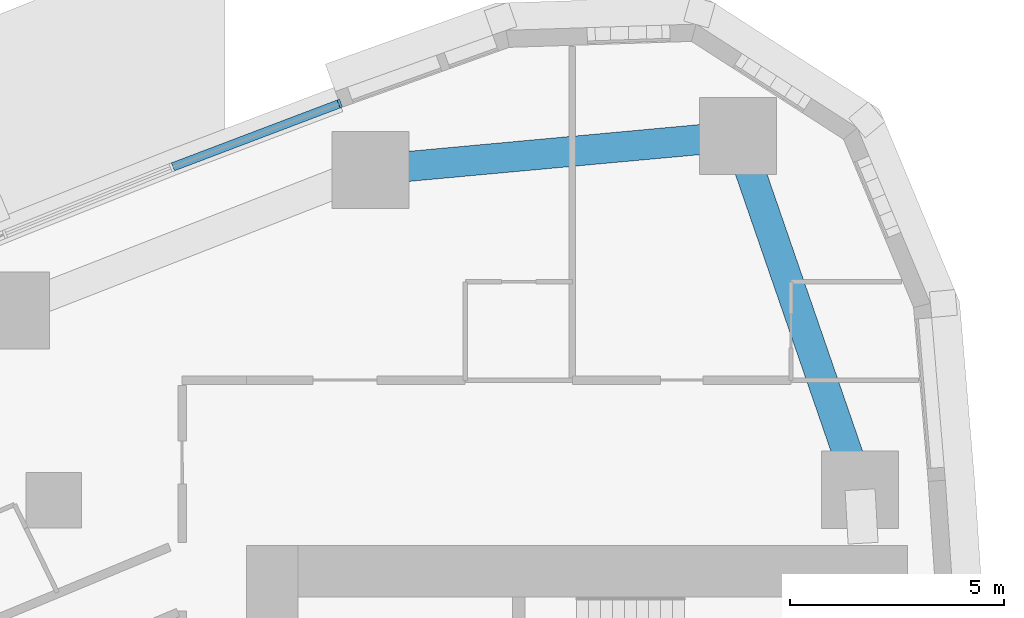
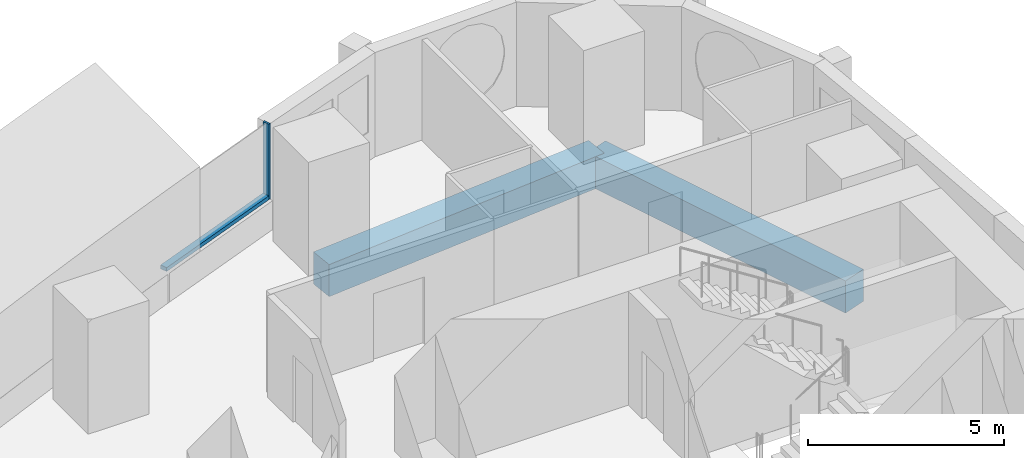
# One storey, part 7 of 19: 2 beams, 2 members, 1 element without a shape of its own.
"""IFC4 building model written with IfcOpenShell, lengths in metres."""

from ifc_helpers import new_model, si_unit, direction, frame, origin, origin_2d, place, context, subcontext, project, spatial, rectangle, extrude, material, layer, layer_set, material_profile, profile_set, type_object, element, aggregate, save


model = new_model("IFC4")

# Units and contexts
model_context = context("Model", 3, precision=1e-05, world=origin(), true_north=direction((0.0, 1.0)))
body_context = subcontext(model_context, "Body", "Model", "MODEL_VIEW")
ifc_project = project(units=[si_unit("LENGTHUNIT", "METRE"), si_unit("AREAUNIT", "SQUARE_METRE"), si_unit("VOLUMEUNIT", "CUBIC_METRE"), si_unit("PLANEANGLEUNIT", "RADIAN"), si_unit("MASSUNIT", "GRAM", prefix="KILO")], contexts=[model_context])

# Site, building, storey
site_placement = place(None, origin())
site = spatial("IfcSite", under=ifc_project, at=site_placement, CompositionType="ELEMENT")
building_placement = place(site_placement, origin())
building = spatial("IfcBuilding", under=site, at=building_placement, Name="Ostrand Prow Hotel Tower", CompositionType="ELEMENT")
storey_placement = place(building_placement, frame((0.0, 0.0, 71.550048828125)))
storey = spatial("IfcBuildingStorey", under=building, at=storey_placement, Name="L16", CompositionType="ELEMENT", Elevation=71.550048828125)

# Beams
ifc_material_1 = material(Name="Concrete C80/95", Category="concrete")
ifc_material_profile_1 = material_profile(ifc_material_1, rectangle(XDim=0.699951171875, YDim=1.0, at=origin_2d()), Name="RC 700x1000")
ifc_profile_set_1 = profile_set([ifc_material_profile_1], Name="Concrete C80/95")
beam_type = type_object("IfcBeamType", Name="Edge beam 700x1000 C80/95", PredefinedType="SPANDREL", material=ifc_profile_set_1)
beam_1_placement = place(storey_placement, frame((63.8134765625, 18.248779296875, -0.800048828125), z_axis=(-0.326263961413, 0.945278703602, 0.0), x_axis=(-0.945278703602, -0.326263961413, 0.0)))
element("IfcBeam", 1, at=beam_1_placement, inside=storey, type_object=beam_type, Name="Edge beam B5-NE", PredefinedType="SPANDREL", context=body_context, shape_type="SweptSolid", body=[
    extrude(rectangle(XDim=0.699951171875, YDim=1.0, at=origin_2d()), origin(), (0.0, 0.0, 1.0), 8.727294921875),
])
beam_2_placement = place(storey_placement, frame((60.966064453125, 26.49853515625, -0.800048828125), z_axis=(-0.995800189514, -0.091553167961, 0.0), x_axis=(0.091553167961, -0.995800189514, 0.0)))
element("IfcBeam", 2, at=beam_2_placement, inside=storey, type_object=beam_type, Name="Edge beam NE-N1", PredefinedType="SPANDREL", context=body_context, shape_type="SweptSolid", body=[
    extrude(rectangle(XDim=0.699951171875, YDim=1.0, at=origin_2d()), origin(), (0.0, 0.0, 1.0), 8.610595703125),
])

# Curtain wall, members
ifc_material_2 = material(Name="Insulated glass in bronze anodised frame", Category="glass")
ifc_layer = layer(ifc_material_2, 0.199951171875)
ifc_layer_set = layer_set([ifc_layer], Name="Insulated glass in bronze anodised frame")
curtain_wall_type = type_object("IfcCurtainWallType", Name="Strip curtain wall, fritted glass over bronze spandrel", PredefinedType="NOTDEFINED", material=ifc_layer_set)
curtain_wall_placement = place(storey_placement, origin())
curtain_wall = element("IfcCurtainWall", 3, at=curtain_wall_placement, inside=storey, type_object=curtain_wall_type, Name="CW1 run CWN1", PredefinedType="NOTDEFINED")
ifc_material_3 = material(Name="Bronze anodised aluminium", Category="aluminium")
ifc_material_profile_2 = material_profile(ifc_material_3, rectangle(XDim=0.199951171875, YDim=0.06005859375, at=origin_2d()), Name="Mullion 60x200 bronze anodised aluminium")
ifc_profile_set_2 = profile_set([ifc_material_profile_2], Name="Bronze anodised aluminium")
member_type_1 = type_object("IfcMemberType", Name="Mullion 60x200 bronze anodised aluminium", PredefinedType="MULLION", material=ifc_profile_set_2)
member_1_placement = place(storey_placement, frame((51.674560546875, 27.2578125, 0.89990234375), z_axis=(0.0, 0.0, 1.0), x_axis=(0.354728407072, -0.934969388384, 0.0)))
member_1 = element("IfcMember", 4, at=member_1_placement, type_object=member_type_1, Name="CW1 mullion 1", PredefinedType="MULLION", context=body_context, shape_type="SweptSolid", body=[
    extrude(rectangle(XDim=0.199951171875, YDim=0.06005859375, at=origin_2d()), origin(), (0.0, 0.0, 1.0), 2.35009765625),
])
ifc_material_4 = material(Name="Bronze anodised aluminium", Category="aluminium")
ifc_material_profile_3 = material_profile(ifc_material_4, rectangle(XDim=0.199951171875, YDim=0.1201171875, at=origin_2d()), Name="Transom 120x200 bronze anodised aluminium")
ifc_profile_set_3 = profile_set([ifc_material_profile_3], Name="Bronze anodised aluminium")
member_type_2 = type_object("IfcMemberType", Name="Transom 120x200 bronze anodised aluminium", PredefinedType="USERDEFINED", material=ifc_profile_set_3)
member_2_placement = place(storey_placement, frame((51.646484375, 27.2470703125, 0.9599609375), z_axis=(-0.93497051437, -0.354725439261, 0.0), x_axis=(0.354725439261, -0.93497051437, 0.0)))
member_2 = element("IfcMember", 5, at=member_2_placement, type_object=member_type_2, Name="CW1 transom 1.1", ObjectType="TRANSOM", PredefinedType="USERDEFINED", context=body_context, shape_type="SweptSolid", body=[
    extrude(rectangle(XDim=0.199951171875, YDim=0.1201171875, at=origin_2d()), origin(), (0.0, 0.0, 1.0), 4.13427734375),
])
aggregate(curtain_wall, [member_1, member_2])

save(model, "model.ifc")
